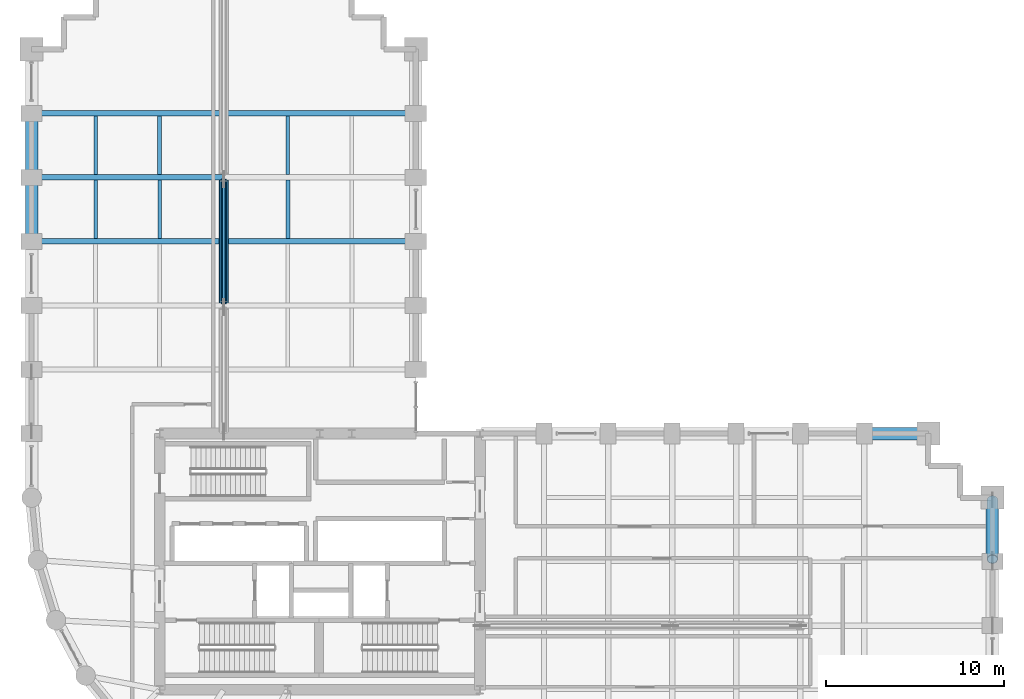
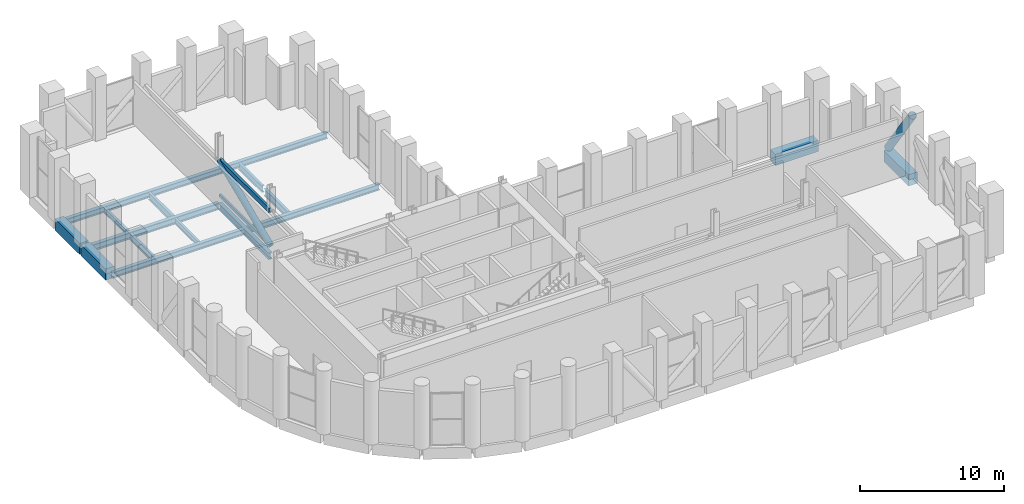
# One storey, part 16 of 27: 14 beams, 4 members.
"""IFC4 building model written with IfcOpenShell, lengths in metres."""

from ifc_helpers import new_model, si_unit, direction, frame, origin, origin_2d, place, context, subcontext, project, spatial, rectangle, hollow_rectangle, hollow_circle, i_section, extrude, material, material_profile, profile_set, type_object, element, save


model = new_model("IFC4")

# Units and contexts
model_context = context("Model", 3, precision=1e-05, world=origin(), true_north=direction((0.0, 1.0)))
body_context = subcontext(model_context, "Body", "Model", "MODEL_VIEW")
ifc_project = project(units=[si_unit("LENGTHUNIT", "METRE"), si_unit("AREAUNIT", "SQUARE_METRE"), si_unit("VOLUMEUNIT", "CUBIC_METRE"), si_unit("PLANEANGLEUNIT", "RADIAN"), si_unit("MASSUNIT", "GRAM", prefix="KILO")], contexts=[model_context])

# Site, building, storey
site_placement = place(None, origin())
site = spatial("IfcSite", under=ifc_project, at=site_placement, CompositionType="ELEMENT")
building_placement = place(site_placement, origin())
building = spatial("IfcBuilding", under=site, at=building_placement, Name="Solnavia Interchange Tower", CompositionType="ELEMENT")
storey_placement = place(building_placement, frame((0.0, 0.0, 74.699951171875)))
storey = spatial("IfcBuildingStorey", under=building, at=storey_placement, Name="L18", CompositionType="ELEMENT", Elevation=74.699951171875)

# Beams
ifc_material_1 = material(Name="Steel S460", Category="steel")
ifc_material_profile_1 = material_profile(ifc_material_1, i_section(OverallWidth=0.300048828125, OverallDepth=0.550048828125, WebThickness=0.014892578125, FlangeThickness=0.029052734375, FilletRadius=0.027099609375, at=origin_2d()), Name="HEB 550")
ifc_profile_set_1 = profile_set([ifc_material_profile_1], Name="Steel S460")
beam_type_1 = type_object("IfcBeamType", Name="Beam-Girder-HEB550", PredefinedType="BEAM", material=ifc_profile_set_1)
beam_1_placement = place(storey_placement, frame((18.0, 32.47998046875, -0.594970703125), z_axis=(0.0, 1.0, 0.0), x_axis=(-1.0, 0.0, 0.0)))
element("IfcBeam", 1, at=beam_1_placement, inside=storey, type_object=beam_type_1, Name="GRD-L18-NS13 North wing spine girder", PredefinedType="BEAM", context=body_context, shape_type="SweptSolid", body=[
    extrude(i_section(OverallWidth=0.300048828125, OverallDepth=0.550048828125, WebThickness=0.014892578125, FlangeThickness=0.029052734375, FilletRadius=0.027099609375, at=origin_2d()), origin(), (0.0, 0.0, 1.0), 7.0400390625),
])
beam_2_placement = place(storey_placement, frame((7.280029296875, 39.60009765625, -0.594970703125), z_axis=(1.0, 0.0, 0.0), x_axis=(0.0, 1.0, 0.0)))
element("IfcBeam", 2, at=beam_2_placement, inside=storey, type_object=beam_type_1, Name="GRD-L18-NW19 North wing primary floor girder", PredefinedType="BEAM", context=body_context, shape_type="SweptSolid", body=[
    extrude(i_section(OverallWidth=0.300048828125, OverallDepth=0.550048828125, WebThickness=0.014892578125, FlangeThickness=0.029052734375, FilletRadius=0.027099609375, at=origin_2d()), origin(), (0.0, 0.0, 1.0), 10.639892578125),
])
ifc_material_2 = material(Name="Steel S355", Category="steel")
ifc_material_profile_2 = material_profile(ifc_material_2, i_section(OverallWidth=0.18994140625, OverallDepth=0.449951171875, WebThickness=0.009521484375, FlangeThickness=0.0146484375, FilletRadius=0.02099609375, at=origin_2d()), Name="IPE 450")
ifc_profile_set_2 = profile_set([ifc_material_profile_2], Name="Steel S355")
beam_type_2 = type_object("IfcBeamType", Name="Beam-Joist-IPE450", PredefinedType="JOIST", material=ifc_profile_set_2)
for number, where, z_axis, x_axis, name in (
    (3, (10.800048828125, 39.75, -0.544921875), (0.0, 1.0, 0.0), (-1.0, 0.0, 0.0), "JST-L18-N24 North wing secondary joist"),
    (4, (14.39990234375, 36.14990234375, -0.544921875), (0.0, 1.0, 0.0), (-1.0, 0.0, 0.0), "JST-L18-N27 North wing secondary joist"),
):
    element("IfcBeam", number, at=place(storey_placement, frame(where, z_axis=z_axis, x_axis=x_axis)), inside=storey, type_object=beam_type_2, Name=name, PredefinedType="JOIST", context=body_context, shape_type="SweptSolid", body=[
        extrude(i_section(OverallWidth=0.18994140625, OverallDepth=0.449951171875, WebThickness=0.009521484375, FlangeThickness=0.0146484375, FilletRadius=0.02099609375, at=origin_2d()), origin(), (0.0, 0.0, 1.0), 3.300048828125),
    ])
ifc_material_profile_3 = material_profile(ifc_material_2, i_section(OverallWidth=0.2099609375, OverallDepth=0.550048828125, WebThickness=0.010986328125, FlangeThickness=0.01708984375, FilletRadius=0.02392578125, at=origin_2d()), Name="IPE 550")
ifc_profile_set_3 = profile_set([ifc_material_profile_3], Name="Steel S355")
beam_type_3 = type_object("IfcBeamType", Name="Beam-Joist-IPE550", PredefinedType="JOIST", material=ifc_profile_set_3)
for number, where, z_axis, x_axis, name in (
    (5, (10.800048828125, 36.14990234375, -0.594970703125), (0.0, 1.0, 0.0), (-1.0, 0.0, 0.0), "JST-L18-N23 North wing secondary joist"),
    (6, (21.60009765625, 39.75, -0.594970703125), (0.0, 1.0, 0.0), (-1.0, 0.0, 0.0), "JST-L18-N32 North wing secondary joist"),
):
    element("IfcBeam", number, at=place(storey_placement, frame(where, z_axis=z_axis, x_axis=x_axis)), inside=storey, type_object=beam_type_3, Name=name, PredefinedType="JOIST", context=body_context, shape_type="SweptSolid", body=[
        extrude(i_section(OverallWidth=0.2099609375, OverallDepth=0.550048828125, WebThickness=0.010986328125, FlangeThickness=0.01708984375, FilletRadius=0.02392578125, at=origin_2d()), origin(), (0.0, 0.0, 1.0), 3.300048828125),
    ])
ifc_material_profile_4 = material_profile(ifc_material_2, i_section(OverallWidth=0.219970703125, OverallDepth=0.60009765625, WebThickness=0.011962890625, FlangeThickness=0.01904296875, FilletRadius=0.02392578125, at=origin_2d()), Name="IPE 600")
ifc_profile_set_4 = profile_set([ifc_material_profile_4], Name="Steel S355")
beam_type_4 = type_object("IfcBeamType", Name="Beam-Joist-IPE600", PredefinedType="JOIST", material=ifc_profile_set_4)
for number, where, z_axis, x_axis, name in (
    (7, (14.39990234375, 39.75, -0.619873046875), (0.0, 1.0, 0.0), (-1.0, 0.0, 0.0), "JST-L18-N28 North wing secondary joist"),
    (8, (21.60009765625, 36.14990234375, -0.619873046875), (0.0, 1.0, 0.0), (-1.0, 0.0, 0.0), "JST-L18-N31 North wing secondary joist"),
):
    element("IfcBeam", number, at=place(storey_placement, frame(where, z_axis=z_axis, x_axis=x_axis)), inside=storey, type_object=beam_type_4, Name=name, PredefinedType="JOIST", context=body_context, shape_type="SweptSolid", body=[
        extrude(i_section(OverallWidth=0.219970703125, OverallDepth=0.60009765625, WebThickness=0.011962890625, FlangeThickness=0.01904296875, FilletRadius=0.02392578125, at=origin_2d()), origin(), (0.0, 0.0, 1.0), 3.300048828125),
    ])
ifc_material_profile_5 = material_profile(ifc_material_2, i_section(OverallWidth=0.300048828125, OverallDepth=0.489990234375, WebThickness=0.011962890625, FlangeThickness=0.02294921875, FilletRadius=0.027099609375, at=origin_2d()), Name="HEA 500")
ifc_profile_set_5 = profile_set([ifc_material_profile_5], Name="Steel S355")
beam_type_5 = type_object("IfcBeamType", Name="Beam-Primary-HEA500", PredefinedType="BEAM", material=ifc_profile_set_5)
for number, where, z_axis, x_axis, name in (
    (9, (7.280029296875, 36.0, -0.56494140625), (1.0, 0.0, 0.0), (0.0, 1.0, 0.0), "GRD-L18-NW18 North wing primary floor girder"),
    (10, (7.280029296875, 43.199951171875, -0.56494140625), (1.0, 0.0, 0.0), (0.0, 1.0, 0.0), "GRD-L18-NW21 North wing primary floor girder"),
):
    element("IfcBeam", number, at=place(storey_placement, frame(where, z_axis=z_axis, x_axis=x_axis)), inside=storey, type_object=beam_type_5, Name=name, PredefinedType="BEAM", context=body_context, shape_type="SweptSolid", body=[
        extrude(i_section(OverallWidth=0.300048828125, OverallDepth=0.489990234375, WebThickness=0.011962890625, FlangeThickness=0.02294921875, FilletRadius=0.027099609375, at=origin_2d()), origin(), (0.0, 0.0, 1.0), 21.43994140625),
    ])
ifc_material_3 = material(Name="Concrete C50/60", Category="concrete")
ifc_material_profile_6 = material_profile(ifc_material_3, rectangle(XDim=0.699951171875, YDim=0.949951171875, at=origin_2d()), Name="RC 700x950")
ifc_profile_set_6 = profile_set([ifc_material_profile_6], Name="Concrete C50/60")
beam_type_6 = type_object("IfcBeamType", Name="Beam-Spandrel-RC700x950", PredefinedType="SPANDREL", material=ifc_profile_set_6)
for number, where, z_axis, x_axis, name in (
    (11, (61.199951171875, 18.080078125, -0.474853515625), (0.0, 1.0, 0.0), (-1.0, 0.0, 0.0), "SPB-L18-21 Framed-tube perimeter spandrel beam"),
    (12, (57.52001953125, 25.199951171875, -0.474853515625), (-1.0, 0.0, 0.0), (0.0, -1.0, 0.0), "SPB-L18-22 Framed-tube perimeter spandrel beam"),
):
    element("IfcBeam", number, at=place(storey_placement, frame(where, z_axis=z_axis, x_axis=x_axis)), inside=storey, type_object=beam_type_6, Name=name, PredefinedType="SPANDREL", context=body_context, shape_type="SweptSolid", body=[
        extrude(rectangle(XDim=0.699951171875, YDim=0.949951171875, at=origin_2d()), origin(), (0.0, 0.0, 1.0), 3.43994140625),
    ])
beam_3_placement = place(storey_placement, frame((7.199951171875, 43.1201171875, -0.474853515625), z_axis=(0.0, -1.0, 0.0), x_axis=(1.0, 0.0, 0.0)))
element("IfcBeam", 13, at=beam_3_placement, inside=storey, type_object=beam_type_6, Name="SPB-L18-39 Framed-tube perimeter spandrel beam", PredefinedType="SPANDREL", context=body_context, shape_type="SweptSolid", body=[
    extrude(rectangle(XDim=0.699951171875, YDim=0.949951171875, at=origin_2d()), origin(), (0.0, 0.0, 1.0), 3.440185546875),
])
beam_4_placement = place(storey_placement, frame((7.199951171875, 39.52001953125, -0.474853515625), z_axis=(0.0, -1.0, 0.0), x_axis=(1.0, 0.0, 0.0)))
element("IfcBeam", 14, at=beam_4_placement, inside=storey, type_object=beam_type_6, Name="SPB-L18-40 Framed-tube perimeter spandrel beam", PredefinedType="SPANDREL", context=body_context, shape_type="SweptSolid", body=[
    extrude(rectangle(XDim=0.699951171875, YDim=0.949951171875, at=origin_2d()), origin(), (0.0, 0.0, 1.0), 3.43994140625),
])

# Members
ifc_material_profile_7 = material_profile(ifc_material_1, hollow_circle(Radius=0.304931640625, WallThickness=0.02490234375, at=origin_2d()), Name="CHS 610x25")
ifc_profile_set_7 = profile_set([ifc_material_profile_7], Name="Steel S460")
member_type_1 = type_object("IfcMemberType", Name="Brace-Perim-CHS610", PredefinedType="BRACE", material=ifc_profile_set_7)
member_1_placement = place(storey_placement, frame((61.199951171875, 21.4599609375, 0.179931640625), z_axis=(0.0, -0.575312099507, 0.817933975429), x_axis=(1.0, 0.0, 0.0)))
element("IfcMember", 15, at=member_1_placement, inside=storey, type_object=member_type_1, Name="BRC-L18-03 Perimeter tube diagonal brace", PredefinedType="BRACE", context=body_context, shape_type="SweptSolid", body=[
    extrude(hollow_circle(Radius=0.304931640625, WallThickness=0.02490234375, at=origin_2d()), origin(), (0.0, 0.0, 1.0), 5.77099609375),
])
ifc_material_profile_8 = material_profile(ifc_material_2, hollow_rectangle(XDim=0.14990234375, YDim=0.25, WallThickness=0.010009765625, at=origin_2d()), Name="RHS 250x150x10")
ifc_profile_set_8 = profile_set([ifc_material_profile_8], Name="Steel S355")
member_type_2 = type_object("IfcMemberType", Name="Outrigger-Chord-RHS250", PredefinedType="CHORD", material=ifc_profile_set_8)
member_2_placement = place(storey_placement, frame((18.0, 32.5, 0.300048828125), z_axis=(0.0, 1.0, 0.0), x_axis=(-1.0, 0.0, 0.0)))
element("IfcMember", 16, at=member_2_placement, inside=storey, type_object=member_type_2, Name="OTR-L18-BC04 Outrigger bottom chord", PredefinedType="CHORD", context=body_context, shape_type="SweptSolid", body=[
    extrude(hollow_rectangle(XDim=0.14990234375, YDim=0.25, WallThickness=0.010009765625, at=origin_2d()), origin(), (0.0, 0.0, 1.0), 7.0),
])
ifc_material_profile_9 = material_profile(ifc_material_1, hollow_rectangle(XDim=0.199951171875, YDim=0.39990234375, WallThickness=0.01611328125, at=origin_2d()), Name="RHS 400x200x16")
ifc_profile_set_9 = profile_set([ifc_material_profile_9], Name="Steel S460")
member_type_3 = type_object("IfcMemberType", Name="Outrigger-Chord-RHS400", PredefinedType="CHORD", material=ifc_profile_set_9)
member_3_placement = place(storey_placement, frame((18.0, 32.5, 3.25), z_axis=(0.0, 1.0, 0.0), x_axis=(-1.0, 0.0, 0.0)))
element("IfcMember", 17, at=member_3_placement, inside=storey, type_object=member_type_3, Name="OTR-L18-TC04 Outrigger top chord", PredefinedType="CHORD", context=body_context, shape_type="SweptSolid", body=[
    extrude(hollow_rectangle(XDim=0.199951171875, YDim=0.39990234375, WallThickness=0.01611328125, at=origin_2d()), origin(), (0.0, 0.0, 1.0), 7.0),
])
ifc_material_profile_10 = material_profile(ifc_material_1, hollow_circle(Radius=0.25390625, WallThickness=0.02490234375, at=origin_2d()), Name="CHS 508x25")
ifc_profile_set_10 = profile_set([ifc_material_profile_10], Name="Steel S460")
member_type_4 = type_object("IfcMemberType", Name="Outrigger-Diag-CHS508", PredefinedType="BRACE", material=ifc_profile_set_10)
member_4_placement = place(storey_placement, frame((18.0, 32.5, 0.300048828125), z_axis=(0.0, 0.921513727827, 0.3883457859), x_axis=(-1.0, 0.0, 0.0)))
element("IfcMember", 18, at=member_4_placement, inside=storey, type_object=member_type_4, Name="OTR-L18-DG04 Outrigger truss diagonal", PredefinedType="BRACE", context=body_context, shape_type="SweptSolid", body=[
    extrude(hollow_circle(Radius=0.25390625, WallThickness=0.02490234375, at=origin_2d()), origin(), (0.0, 0.0, 1.0), 7.59619140625),
])

save(model, "model.ifc")
